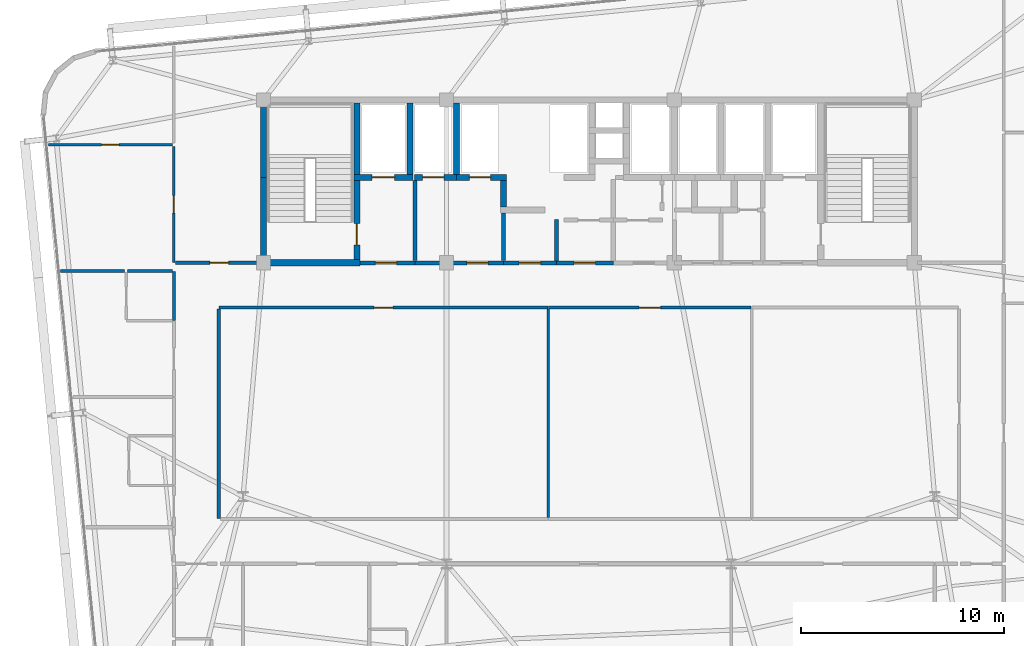
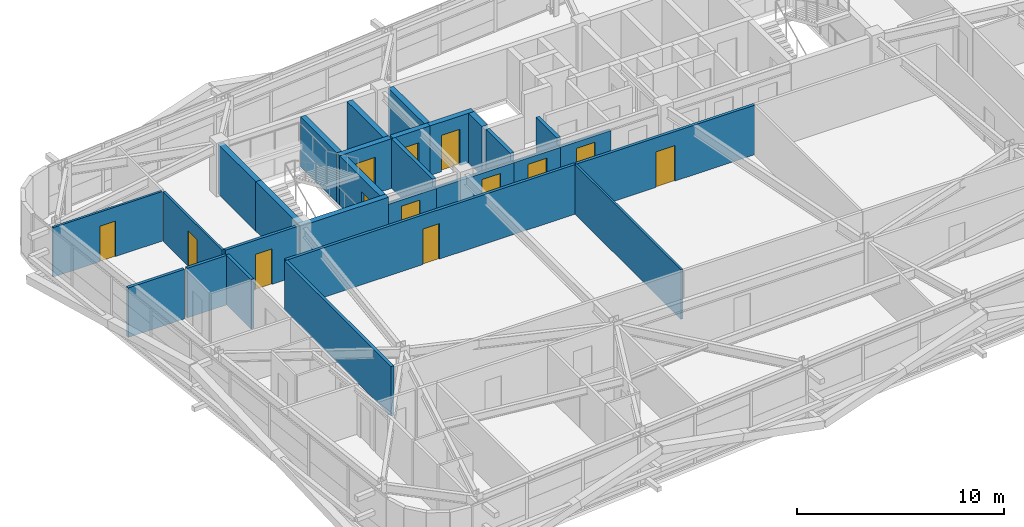
# One storey, part 47 of 53: 28 walls, 13 doors, 13 openings.
"""IFC4 building model written with IfcOpenShell, lengths in metres."""

from ifc_helpers import new_model, si_unit, direction, frame, frame_2d, origin, place, context, subcontext, project, spatial, rectangle, extrude, source, transform, mapped, material, layer, layer_set, type_object, element, fill, save


model = new_model("IFC4")

# Units and contexts
model_context = context("Model", 3, precision=1e-05, world=origin(), true_north=direction((0.0, 1.0)))
body_context = subcontext(model_context, "Body", "Model", "MODEL_VIEW")
ifc_project = project(units=[si_unit("LENGTHUNIT", "METRE"), si_unit("AREAUNIT", "SQUARE_METRE"), si_unit("VOLUMEUNIT", "CUBIC_METRE"), si_unit("PLANEANGLEUNIT", "RADIAN"), si_unit("MASSUNIT", "GRAM", prefix="KILO")], contexts=[model_context])

# Site, building, storey
site_placement = place(None, origin())
site = spatial("IfcSite", under=ifc_project, at=site_placement, CompositionType="ELEMENT")
building_placement = place(site_placement, origin())
building = spatial("IfcBuilding", under=site, at=building_placement, Name="Taldren Reach Tower", CompositionType="ELEMENT")
storey_placement = place(building_placement, frame((0.0, 0.0, 80.85009765625)))
storey = spatial("IfcBuildingStorey", under=building, at=storey_placement, Name="L24", CompositionType="ELEMENT", Elevation=80.85009765625)

# Wall, opening, door
ifc_material_1 = material(Name="Concrete S50 (50 MPa)", Category="concrete")
ifc_layer_1 = layer(ifc_material_1, 0.199951171875)
ifc_layer_set_1 = layer_set([ifc_layer_1], Name="Concrete S50 (50 MPa)")
wall_type_1 = type_object("IfcWallType", Name="IW-CORE-200", PredefinedType="SOLIDWALL", material=ifc_layer_set_1)
shared_shape_1 = source(origin(), body_context, "Body", "SweptSolid", [
    extrude(rectangle(XDim=4.35009765625, YDim=0.199951171875, at=frame_2d((2.175048828125, 0.0))), origin(), (0.0, 0.0, 1.0), 2.469970703125),
])
wall_1_placement = place(storey_placement, frame((30.800048828125, 24.0, 0.0), z_axis=(0.0, 0.0, 1.0), x_axis=(-1.0, 0.0, 0.0)))
wall_1 = element("IfcWall", 1, at=wall_1_placement, inside=storey, type_object=wall_type_1, Name="Rear Core Shear Wall W-INT-L24-034", PredefinedType="SOLIDWALL", context=body_context, shape_type="MappedRepresentation", body=[
    mapped(shared_shape_1, transform((0.0, 0.0, 0.0), scale=1.0)),
])
shared_shape_2 = source(origin(), body_context, "Body", "SweptSolid", [
    extrude(rectangle(XDim=1.050048828125, YDim=2.10009765625, at=frame_2d((0.52490234375, 1.050048828125))), frame((0.0, 0.10986328125, 0.0), z_axis=(0.0, -1.0, 0.0), x_axis=(1.0, 0.0, 0.0)), (0.0, 0.0, 1.0), 0.219970703125),
])
opening_1_placement = place(wall_1_placement, frame((0.75, 0.0, 0.0)))
opening_1 = element("IfcOpeningElement", 2, at=opening_1_placement, cuts=wall_1, Name="Opening DF-105", PredefinedType="OPENING", context=body_context, shape_type="MappedRepresentation", body=[
    mapped(shared_shape_2, transform((0.0, 0.0, 0.0), scale=1.0)),
])
ifc_material_2 = material(Name="Fire-Rated Care and Stair Exit Door")
door_type_1 = type_object("IfcDoorType", Name="ID-FIRE-105", OperationType="NOTDEFINED", PredefinedType="DOOR", material=ifc_material_2)
shared_shape_3 = source(origin(), body_context, "Body", "SweptSolid", [
    extrude(rectangle(XDim=1.050048828125, YDim=2.10009765625, at=frame_2d((0.52490234375, 1.050048828125))), frame((0.0, 0.02490234375, 0.0), z_axis=(0.0, -1.0, 0.0), x_axis=(1.0, 0.0, 0.0)), (0.0, 0.0, 1.0), 0.050048828125),
])
door_1_placement = place(opening_1_placement, frame((1.050048828125, 0.0, 0.0), z_axis=(0.0, 0.0, 1.0), x_axis=(-1.0, 0.0, 0.0)))
door_1 = element("IfcDoor", 3, at=door_1_placement, inside=storey, type_object=door_type_1, Name="Interior Door DR-L24-005", OperationType="SINGLE_SWING_RIGHT", OverallHeight=2.10009765625, OverallWidth=1.050048828125, PredefinedType="DOOR", context=body_context, shape_type="MappedRepresentation", body=[
    mapped(shared_shape_3, transform((0.0, 0.0, 0.0), scale=1.0)),
])
fill(opening_1, door_1)

# Walls
ifc_material_3 = material(Name="Fire-Rated Acoustic Plasterboard Stud Wall", Category="gypsum")
ifc_layer_2 = layer(ifc_material_3, 0.159912109375)
ifc_layer_set_2 = layer_set([ifc_layer_2], Name="Fire-Rated Acoustic Plasterboard Stud Wall")
wall_type_2 = type_object("IfcWallType", Name="IW-FIRE-160", PredefinedType="PARTITIONING", material=ifc_layer_set_2)
shared_shape_4 = source(origin(), body_context, "Body", "SweptSolid", [
    extrude(rectangle(XDim=10.2998046875, YDim=0.159912109375, at=frame_2d((5.14990234375, 0.0))), origin(), (0.0, 0.0, 1.0), 2.929931640625),
])
wall_2_placement = place(storey_placement, frame((16.800048828125, 21.719970703125, 0.0), z_axis=(0.0, 0.0, 1.0), x_axis=(0.0, -1.0, 0.0)))
element("IfcWall", 4, at=wall_2_placement, inside=storey, type_object=wall_type_2, Name="Interior Partition Wall W-INT-L24-061", PredefinedType="PARTITIONING", context=body_context, shape_type="MappedRepresentation", body=[
    mapped(shared_shape_4, transform((0.0, 0.0, 0.0), scale=1.0)),
])
shared_shape_5 = source(origin(), body_context, "Body", "SweptSolid", [
    extrude(rectangle(XDim=2.02001953125, YDim=0.199951171875, at=frame_2d((1.010009765625, 0.0))), origin(), (0.0, 0.0, 1.0), 2.929931640625),
])
wall_3_placement = place(storey_placement, frame((33.39990234375, 26.1201171875, 0.0), z_axis=(0.0, 0.0, 1.0), x_axis=(0.0, -1.0, 0.0)))
element("IfcWall", 5, at=wall_3_placement, inside=storey, type_object=wall_type_1, Name="Rear Core Shear Wall W-INT-L24-044", PredefinedType="SOLIDWALL", context=body_context, shape_type="MappedRepresentation", body=[
    mapped(shared_shape_5, transform((0.0, 0.0, 0.0), scale=1.0)),
])

# Wall, opening, door
shared_shape_6 = source(origin(), body_context, "Body", "SweptSolid", [
    extrude(rectangle(XDim=2.599853515625, YDim=0.199951171875, at=frame_2d((1.2998046875, 0.0))), origin(), (0.0, 0.0, 1.0), 2.469970703125),
])
wall_4_placement = place(storey_placement, frame((33.39990234375, 24.0, 0.0), z_axis=(0.0, 0.0, 1.0), x_axis=(-1.0, 0.0, 0.0)))
wall_4 = element("IfcWall", 6, at=wall_4_placement, inside=storey, type_object=wall_type_1, Name="Rear Core Shear Wall W-INT-L24-045", PredefinedType="SOLIDWALL", context=body_context, shape_type="MappedRepresentation", body=[
    mapped(shared_shape_6, transform((0.0, 0.0, 0.0), scale=1.0)),
])
opening_2_placement = place(wall_4_placement, frame((0.77490234375, 0.0, 0.0)))
opening_2 = element("IfcOpeningElement", 7, at=opening_2_placement, cuts=wall_4, Name="Opening DF-105", PredefinedType="OPENING", context=body_context, shape_type="MappedRepresentation", body=[
    mapped(shared_shape_2, transform((0.0, 0.0, 0.0), scale=1.0)),
])
door_2_placement = place(opening_2_placement, frame((1.050048828125, 0.0, 0.0), z_axis=(0.0, 0.0, 1.0), x_axis=(-1.0, 0.0, 0.0)))
door_2 = element("IfcDoor", 8, at=door_2_placement, inside=storey, type_object=door_type_1, Name="Interior Door DR-L24-006", OperationType="SINGLE_SWING_RIGHT", OverallHeight=2.10009765625, OverallWidth=1.050048828125, PredefinedType="DOOR", context=body_context, shape_type="MappedRepresentation", body=[
    mapped(shared_shape_3, transform((0.0, 0.0, 0.0), scale=1.0)),
])
fill(opening_2, door_2)

shared_shape_7 = source(origin(), body_context, "Body", "SweptSolid", [
    extrude(rectangle(XDim=2.800048828125, YDim=0.199951171875, at=frame_2d((1.39990234375, 0.0))), origin(), (0.0, 0.0, 1.0), 2.469970703125),
])
wall_5_placement = place(storey_placement, frame((36.199951171875, 24.0, 0.0), z_axis=(0.0, 0.0, 1.0), x_axis=(-1.0, 0.0, 0.0)))
wall_5 = element("IfcWall", 9, at=wall_5_placement, inside=storey, type_object=wall_type_1, Name="Rear Core Shear Wall W-INT-L24-048", PredefinedType="SOLIDWALL", context=body_context, shape_type="MappedRepresentation", body=[
    mapped(shared_shape_7, transform((0.0, 0.0, 0.0), scale=1.0)),
])
opening_3_placement = place(wall_5_placement, frame((0.875, 0.0, 0.0)))
opening_3 = element("IfcOpeningElement", 10, at=opening_3_placement, cuts=wall_5, Name="Opening DF-105", PredefinedType="OPENING", context=body_context, shape_type="MappedRepresentation", body=[
    mapped(shared_shape_2, transform((0.0, 0.0, 0.0), scale=1.0)),
])
door_3_placement = place(opening_3_placement, frame((1.050048828125, 0.0, 0.0), z_axis=(0.0, 0.0, 1.0), x_axis=(-1.0, 0.0, 0.0)))
door_3 = element("IfcDoor", 11, at=door_3_placement, inside=storey, type_object=door_type_1, Name="Interior Door DR-L24-008", OperationType="SINGLE_SWING_RIGHT", OverallHeight=2.10009765625, OverallWidth=1.050048828125, PredefinedType="DOOR", context=body_context, shape_type="MappedRepresentation", body=[
    mapped(shared_shape_3, transform((0.0, 0.0, 0.0), scale=1.0)),
])
fill(opening_3, door_3)

shared_shape_8 = source(origin(), body_context, "Body", "SweptSolid", [
    extrude(rectangle(XDim=9.95947265625, YDim=0.159912109375, at=frame_2d((4.979736328125, 0.0))), origin(), (0.0, 0.0, 1.0), 2.929931640625),
])
wall_6_placement = place(storey_placement, frame((42.979736328125, 21.800048828125, 0.0), z_axis=(0.0, 0.0, 1.0), x_axis=(-1.0, 0.0, 0.0)))
wall_6 = element("IfcWall", 12, at=wall_6_placement, inside=storey, type_object=wall_type_2, Name="Interior Partition Wall W-INT-L24-062", PredefinedType="PARTITIONING", context=body_context, shape_type="MappedRepresentation", body=[
    mapped(shared_shape_8, transform((0.0, 0.0, 0.0), scale=1.0)),
])
shared_shape_9 = source(origin(), body_context, "Body", "SweptSolid", [
    extrude(rectangle(XDim=1.050048828125, YDim=2.10009765625, at=frame_2d((0.52490234375, 1.050048828125))), frame((0.0, 0.08984375, 0.0), z_axis=(0.0, -1.0, 0.0), x_axis=(1.0, 0.0, 0.0)), (0.0, 0.0, 1.0), 0.179931640625),
])
opening_4_placement = place(wall_6_placement, frame((4.454833984375, 0.0, 0.0)))
opening_4 = element("IfcOpeningElement", 13, at=opening_4_placement, cuts=wall_6, Name="Opening DF-105", PredefinedType="OPENING", context=body_context, shape_type="MappedRepresentation", body=[
    mapped(shared_shape_9, transform((0.0, 0.0, 0.0), scale=1.0)),
])
door_4_placement = place(opening_4_placement, origin())
door_4 = element("IfcDoor", 14, at=door_4_placement, inside=storey, type_object=door_type_1, Name="Interior Door DR-L24-015", OperationType="SINGLE_SWING_RIGHT", OverallHeight=2.10009765625, OverallWidth=1.050048828125, PredefinedType="DOOR", context=body_context, shape_type="MappedRepresentation", body=[
    mapped(shared_shape_3, transform((0.0, 0.0, 0.0), scale=1.0)),
])
fill(opening_4, door_4)

# Wall
ifc_material_4 = material(Name="Insulated Residential Stud Partition", Category="gypsum")
ifc_layer_3 = layer(ifc_material_4, 0.1201171875)
ifc_layer_set_3 = layer_set([ifc_layer_3], Name="Insulated Residential Stud Partition")
wall_type_3 = type_object("IfcWallType", Name="IW-PART-120", PredefinedType="PARTITIONING", material=ifc_layer_set_3)
shared_shape_10 = source(origin(), body_context, "Body", "SweptSolid", [
    extrude(rectangle(XDim=10.239990234375, YDim=0.1201171875, at=frame_2d((5.1201171875, 0.0))), origin(), (0.0, 0.0, 1.0), 2.929931640625),
])
wall_7_placement = place(storey_placement, frame((33.0, 21.719970703125, 0.0), z_axis=(0.0, 0.0, 1.0), x_axis=(0.0, -1.0, 0.0)))
element("IfcWall", 15, at=wall_7_placement, inside=storey, type_object=wall_type_3, Name="Interior Partition Wall W-INT-L24-086", PredefinedType="PARTITIONING", context=body_context, shape_type="MappedRepresentation", body=[
    mapped(shared_shape_10, transform((0.0, 0.0, 0.0), scale=1.0)),
])

# Wall, opening, door
shared_shape_11 = source(origin(), body_context, "Body", "SweptSolid", [
    extrude(rectangle(XDim=16.159423828125, YDim=0.159912109375, at=frame_2d((8.07958984375, 0.0))), origin(), (0.0, 0.0, 1.0), 2.929931640625),
])
wall_8_placement = place(storey_placement, frame((32.979736328125, 21.800048828125, 0.0), z_axis=(0.0, 0.0, 1.0), x_axis=(-1.0, 0.0, 0.0)))
wall_8 = element("IfcWall", 16, at=wall_8_placement, inside=storey, type_object=wall_type_2, Name="Interior Partition Wall W-INT-L24-060", PredefinedType="PARTITIONING", context=body_context, shape_type="MappedRepresentation", body=[
    mapped(shared_shape_11, transform((0.0, 0.0, 0.0), scale=1.0)),
])
shared_shape_12 = source(origin(), body_context, "Body", "SweptSolid", [
    extrude(rectangle(XDim=0.919921875, YDim=2.10009765625, at=frame_2d((0.4599609375, 1.050048828125))), frame((0.0, 0.08984375, 0.0), z_axis=(0.0, -1.0, 0.0), x_axis=(1.0, 0.0, 0.0)), (0.0, 0.0, 1.0), 0.179931640625),
])
opening_5_placement = place(wall_8_placement, frame((7.619873046875, 0.0, 0.0)))
opening_5 = element("IfcOpeningElement", 17, at=opening_5_placement, cuts=wall_8, Name="Opening DI-092", PredefinedType="OPENING", context=body_context, shape_type="MappedRepresentation", body=[
    mapped(shared_shape_12, transform((0.0, 0.0, 0.0), scale=1.0)),
])
ifc_material_5 = material(Name="Solid-Core Timber Suite Door", Category="wood")
door_type_2 = type_object("IfcDoorType", Name="ID-INT-092", OperationType="NOTDEFINED", PredefinedType="DOOR", material=ifc_material_5)
shared_shape_13 = source(origin(), body_context, "Body", "SweptSolid", [
    extrude(rectangle(XDim=0.919921875, YDim=2.10009765625, at=frame_2d((0.4599609375, 1.050048828125))), frame((0.0, 0.02490234375, 0.0), z_axis=(0.0, -1.0, 0.0), x_axis=(1.0, 0.0, 0.0)), (0.0, 0.0, 1.0), 0.050048828125),
])
door_5_placement = place(opening_5_placement, origin())
door_5 = element("IfcDoor", 18, at=door_5_placement, inside=storey, type_object=door_type_2, Name="Interior Door DR-L24-014", OperationType="SINGLE_SWING_LEFT", OverallHeight=2.10009765625, OverallWidth=0.919921875, PredefinedType="DOOR", context=body_context, shape_type="MappedRepresentation", body=[
    mapped(shared_shape_13, transform((0.0, 0.0, 0.0), scale=1.0)),
])
fill(opening_5, door_5)

# Walls
ifc_material_6 = material(Name="Concrete S65 (65 MPa)", Category="concrete")
ifc_layer_4 = layer(ifc_material_6, 0.300048828125)
ifc_layer_set_4 = layer_set([ifc_layer_4], Name="Concrete S65 (65 MPa)")
wall_type_4 = type_object("IfcWallType", Name="IW-CORE-300", PredefinedType="SHEAR", material=ifc_layer_set_4)
shared_shape_14 = source(origin(), body_context, "Body", "SweptSolid", [
    extrude(rectangle(XDim=4.050048828125, YDim=0.300048828125, at=frame_2d((2.02490234375, 0.0))), origin(), (0.0, 0.0, 1.0), 2.929931640625),
])
wall_9_placement = place(storey_placement, frame((19.0, 24.14990234375, 0.0), z_axis=(0.0, 0.0, 1.0), x_axis=(0.0, 1.0, 0.0)))
element("IfcWall", 19, at=wall_9_placement, inside=storey, type_object=wall_type_4, Name="Rear Core Shear Wall W-CORE-L24-WEST1", PredefinedType="SHEAR", context=body_context, shape_type="MappedRepresentation", body=[
    mapped(shared_shape_14, transform((0.0, 0.0, 0.0), scale=1.0)),
])
shared_shape_15 = source(origin(), body_context, "Body", "SweptSolid", [
    extrude(rectangle(XDim=3.650146484375, YDim=0.300048828125, at=frame_2d((1.8251953125, 0.0))), origin(), (0.0, 0.0, 1.0), 2.929931640625),
])
wall_10_placement = place(storey_placement, frame((19.0, 28.199951171875, 0.0), z_axis=(0.0, 0.0, 1.0), x_axis=(0.0, 1.0, 0.0)))
element("IfcWall", 20, at=wall_10_placement, inside=storey, type_object=wall_type_4, Name="Rear Core Shear Wall W-CORE-L24-WEST2", PredefinedType="SHEAR", context=body_context, shape_type="MappedRepresentation", body=[
    mapped(shared_shape_15, transform((0.0, 0.0, 0.0), scale=1.0)),
])
shared_shape_16 = source(origin(), body_context, "Body", "SweptSolid", [
    extrude(rectangle(XDim=3.5, YDim=0.300048828125, at=frame_2d((1.75, 0.0))), origin(), (0.0, 0.0, 1.0), 2.929931640625),
])
for number, where, z_axis, x_axis, name in (
    (21, (23.60009765625, 28.35009765625, 0.0), (0.0, 0.0, 1.0), (0.0, 1.0, 0.0), "Rear Core Shear Wall W-INT-L24-001"),
    (22, (26.199951171875, 28.35009765625, 0.0), (0.0, 0.0, 1.0), (0.0, 1.0, 0.0), "Rear Core Shear Wall W-INT-L24-005"),
    (23, (28.5, 28.35009765625, 0.0), (0.0, 0.0, 1.0), (0.0, 1.0, 0.0), "Rear Core Shear Wall W-INT-L24-030"),
):
    element("IfcWall", number, at=place(storey_placement, frame(where, z_axis=z_axis, x_axis=x_axis)), inside=storey, type_object=wall_type_4, Name=name, PredefinedType="SHEAR", context=body_context, shape_type="MappedRepresentation", body=[
        mapped(shared_shape_16, transform((0.0, 0.0, 0.0), scale=1.0)),
    ])

# Wall, opening, door
shared_shape_17 = source(origin(), body_context, "Body", "SweptSolid", [
    extrude(rectangle(XDim=3.900146484375, YDim=0.300048828125, at=frame_2d((1.9501953125, 0.0))), origin(), (0.0, 0.0, 1.0), 2.929931640625),
])
wall_11_placement = place(storey_placement, frame((23.60009765625, 24.14990234375, 0.0), z_axis=(0.0, 0.0, 1.0), x_axis=(0.0, 1.0, 0.0)))
wall_11 = element("IfcWall", 24, at=wall_11_placement, inside=storey, type_object=wall_type_4, Name="Rear Core Shear Wall W-INT-L24-002", PredefinedType="SHEAR", context=body_context, shape_type="MappedRepresentation", body=[
    mapped(shared_shape_17, transform((0.0, 0.0, 0.0), scale=1.0)),
])
shared_shape_18 = source(origin(), body_context, "Body", "SweptSolid", [
    extrude(rectangle(XDim=1.050048828125, YDim=2.10009765625, at=frame_2d((0.52490234375, 1.050048828125))), frame((0.0, 0.16015625, 0.0), z_axis=(0.0, -1.0, 0.0), x_axis=(1.0, 0.0, 0.0)), (0.0, 0.0, 1.0), 0.320068359375),
])
opening_6_placement = place(wall_11_placement, frame((0.72509765625, 0.0, 0.0)))
opening_6 = element("IfcOpeningElement", 25, at=opening_6_placement, cuts=wall_11, Name="Opening DF-105", PredefinedType="OPENING", context=body_context, shape_type="MappedRepresentation", body=[
    mapped(shared_shape_18, transform((0.0, 0.0, 0.0), scale=1.0)),
])
door_6_placement = place(opening_6_placement, origin())
door_6 = element("IfcDoor", 26, at=door_6_placement, inside=storey, type_object=door_type_1, Name="Fire Exit Stair Door DR-L24-001", OperationType="SINGLE_SWING_LEFT", OverallHeight=2.10009765625, OverallWidth=1.050048828125, PredefinedType="DOOR", context=body_context, shape_type="MappedRepresentation", body=[
    mapped(shared_shape_3, transform((0.0, 0.0, 0.0), scale=1.0)),
])
fill(opening_6, door_6)

# Wall
shared_shape_19 = source(origin(), body_context, "Body", "SweptSolid", [
    extrude(rectangle(XDim=4.89990234375, YDim=0.300048828125, at=frame_2d((2.449951171875, 0.0))), origin(), (0.0, 0.0, 1.0), 2.929931640625),
])
wall_12_placement = place(storey_placement, frame((18.85009765625, 24.0, 0.0), z_axis=(0.0, 0.0, 1.0), x_axis=(1.0, 0.0, 0.0)))
element("IfcWall", 27, at=wall_12_placement, inside=storey, type_object=wall_type_4, Name="Rear Core Shear Wall W-INT-L24-003", PredefinedType="SHEAR", context=body_context, shape_type="MappedRepresentation", body=[
    mapped(shared_shape_19, transform((0.0, 0.0, 0.0), scale=1.0)),
])

# Wall, opening, door
shared_shape_20 = source(origin(), body_context, "Body", "SweptSolid", [
    extrude(rectangle(XDim=2.900146484375, YDim=0.300048828125, at=frame_2d((1.4501953125, 0.0))), origin(), (0.0, 0.0, 1.0), 2.929931640625),
])
wall_13_placement = place(storey_placement, frame((23.449951171875, 28.199951171875, 0.0), z_axis=(0.0, 0.0, 1.0), x_axis=(1.0, 0.0, 0.0)))
wall_13 = element("IfcWall", 28, at=wall_13_placement, inside=storey, type_object=wall_type_4, Name="Rear Core Shear Wall W-INT-L24-004", PredefinedType="SHEAR", context=body_context, shape_type="MappedRepresentation", body=[
    mapped(shared_shape_20, transform((0.0, 0.0, 0.0), scale=1.0)),
])
shared_shape_21 = source(origin(), body_context, "Body", "SweptSolid", [
    extrude(rectangle(XDim=1.10009765625, YDim=2.14990234375, at=frame_2d((0.550048828125, 1.074951171875))), frame((0.0, 0.16015625, 0.0), z_axis=(0.0, -1.0, 0.0), x_axis=(1.0, 0.0, 0.0)), (0.0, 0.0, 1.0), 0.320068359375),
])
opening_7_placement = place(wall_13_placement, frame((0.89990234375, 0.0, 0.0)))
opening_7 = element("IfcOpeningElement", 29, at=opening_7_placement, cuts=wall_13, Name="Opening LD-FL1", PredefinedType="OPENING", context=body_context, shape_type="MappedRepresentation", body=[
    mapped(shared_shape_21, transform((0.0, 0.0, 0.0), scale=1.0)),
])
ifc_material_7 = material(Name="Stainless Steel Gr 316 Emergency Lift Landing Door", Category="steel")
door_type_3 = type_object("IfcDoorType", Name="LD-EMG-110", OperationType="SLIDING_TO_LEFT", PredefinedType="DOOR", material=ifc_material_7)
shared_shape_22 = source(origin(), body_context, "Body", "SweptSolid", [
    extrude(rectangle(XDim=1.10009765625, YDim=2.14990234375, at=frame_2d((0.550048828125, 1.074951171875))), frame((0.0, 0.02490234375, 0.0), z_axis=(0.0, -1.0, 0.0), x_axis=(1.0, 0.0, 0.0)), (0.0, 0.0, 1.0), 0.050048828125),
])
door_7_placement = place(opening_7_placement, origin())
door_7 = element("IfcDoor", 30, at=door_7_placement, inside=storey, type_object=door_type_3, Name="Lift Landing Door LD-FL1-L24", OperationType="SLIDING_TO_LEFT", OverallHeight=2.14990234375, OverallWidth=1.10009765625, PredefinedType="DOOR", context=body_context, shape_type="MappedRepresentation", body=[
    mapped(shared_shape_22, transform((0.0, 0.0, 0.0), scale=1.0)),
])
fill(opening_7, door_7)

# Wall
shared_shape_23 = source(origin(), body_context, "Body", "SweptSolid", [
    extrude(rectangle(XDim=3.949951171875, YDim=0.199951171875, at=frame_2d((1.97509765625, 0.0))), origin(), (0.0, 0.0, 1.0), 2.929931640625),
])
wall_14_placement = place(storey_placement, frame((26.449951171875, 24.10009765625, 0.0), z_axis=(0.0, 0.0, 1.0), x_axis=(0.0, 1.0, 0.0)))
element("IfcWall", 31, at=wall_14_placement, inside=storey, type_object=wall_type_1, Name="Rear Core Shear Wall W-INT-L24-006", PredefinedType="SOLIDWALL", context=body_context, shape_type="MappedRepresentation", body=[
    mapped(shared_shape_23, transform((0.0, 0.0, 0.0), scale=1.0)),
])

# Wall, opening, door
shared_shape_24 = source(origin(), body_context, "Body", "SweptSolid", [
    extrude(rectangle(XDim=2.699951171875, YDim=0.199951171875, at=frame_2d((1.35009765625, 0.0))), origin(), (0.0, 0.0, 1.0), 2.469970703125),
])
wall_15_placement = place(storey_placement, frame((23.75, 24.0, 0.0), z_axis=(0.0, 0.0, 1.0), x_axis=(1.0, 0.0, 0.0)))
wall_15 = element("IfcWall", 32, at=wall_15_placement, inside=storey, type_object=wall_type_1, Name="Rear Core Shear Wall W-INT-L24-007", PredefinedType="SOLIDWALL", context=body_context, shape_type="MappedRepresentation", body=[
    mapped(shared_shape_24, transform((0.0, 0.0, 0.0), scale=1.0)),
])
opening_8_placement = place(wall_15_placement, frame((0.75, 0.0, 0.0)))
opening_8 = element("IfcOpeningElement", 33, at=opening_8_placement, cuts=wall_15, Name="Opening DF-105", PredefinedType="OPENING", context=body_context, shape_type="MappedRepresentation", body=[
    mapped(shared_shape_2, transform((0.0, 0.0, 0.0), scale=1.0)),
])
door_8_placement = place(opening_8_placement, origin())
door_8 = element("IfcDoor", 34, at=door_8_placement, inside=storey, type_object=door_type_1, Name="Interior Door DR-L24-002", OperationType="SINGLE_SWING_LEFT", OverallHeight=2.10009765625, OverallWidth=1.050048828125, PredefinedType="DOOR", context=body_context, shape_type="MappedRepresentation", body=[
    mapped(shared_shape_3, transform((0.0, 0.0, 0.0), scale=1.0)),
])
fill(opening_8, door_8)

# Wall
shared_shape_25 = source(origin(), body_context, "Body", "SweptSolid", [
    extrude(rectangle(XDim=1.300048828125, YDim=0.300048828125, at=frame_2d((0.64990234375, 0.0))), origin(), (0.0, 0.0, 1.0), 2.929931640625),
])
wall_16_placement = place(storey_placement, frame((30.800048828125, 28.050048828125, 0.0), z_axis=(0.0, 0.0, 1.0), x_axis=(0.0, -1.0, 0.0)))
element("IfcWall", 35, at=wall_16_placement, inside=storey, type_object=wall_type_4, Name="Rear Core Shear Wall W-INT-L24-022", PredefinedType="SHEAR", context=body_context, shape_type="MappedRepresentation", body=[
    mapped(shared_shape_25, transform((0.0, 0.0, 0.0), scale=1.0)),
])

# Wall, opening, door
shared_shape_26 = source(origin(), body_context, "Body", "SweptSolid", [
    extrude(rectangle(XDim=2.070068359375, YDim=0.300048828125, at=frame_2d((1.03515625, 0.0))), origin(), (0.0, 0.0, 1.0), 2.929931640625),
])
wall_17_placement = place(storey_placement, frame((26.429931640625, 28.199951171875, 0.0), z_axis=(0.0, 0.0, 1.0), x_axis=(1.0, 0.0, 0.0)))
wall_17 = element("IfcWall", 36, at=wall_17_placement, inside=storey, type_object=wall_type_4, Name="Rear Core Shear Wall W-INT-L24-031", PredefinedType="SHEAR", context=body_context, shape_type="MappedRepresentation", body=[
    mapped(shared_shape_26, transform((0.0, 0.0, 0.0), scale=1.0)),
])
shared_shape_27 = source(origin(), body_context, "Body", "SweptSolid", [
    extrude(rectangle(XDim=1.050048828125, YDim=2.14990234375, at=frame_2d((0.52490234375, 1.074951171875))), frame((0.0, 0.16015625, 0.0), z_axis=(0.0, -1.0, 0.0), x_axis=(1.0, 0.0, 0.0)), (0.0, 0.0, 1.0), 0.320068359375),
])
opening_9_placement = place(wall_17_placement, frame((0.39501953125, 0.0, 0.0)))
opening_9 = element("IfcOpeningElement", 37, at=opening_9_placement, cuts=wall_17, Name="Opening LD-PL1", PredefinedType="OPENING", context=body_context, shape_type="MappedRepresentation", body=[
    mapped(shared_shape_27, transform((0.0, 0.0, 0.0), scale=1.0)),
])
ifc_material_8 = material(Name="Stainless Steel Gr 316 Passenger Lift Landing Door", Category="steel")
door_type_4 = type_object("IfcDoorType", Name="LD-PAS-105", OperationType="SLIDING_TO_LEFT", PredefinedType="DOOR", material=ifc_material_8)
shared_shape_28 = source(origin(), body_context, "Body", "SweptSolid", [
    extrude(rectangle(XDim=1.050048828125, YDim=2.14990234375, at=frame_2d((0.52490234375, 1.074951171875))), frame((0.0, 0.02490234375, 0.0), z_axis=(0.0, -1.0, 0.0), x_axis=(1.0, 0.0, 0.0)), (0.0, 0.0, 1.0), 0.050048828125),
])
door_9_placement = place(opening_9_placement, origin())
door_9 = element("IfcDoor", 38, at=door_9_placement, inside=storey, type_object=door_type_4, Name="Lift Landing Door LD-PL1-L24", OperationType="SLIDING_TO_LEFT", OverallHeight=2.14990234375, OverallWidth=1.050048828125, PredefinedType="DOOR", context=body_context, shape_type="MappedRepresentation", body=[
    mapped(shared_shape_28, transform((0.0, 0.0, 0.0), scale=1.0)),
])
fill(opening_9, door_9)

shared_shape_29 = source(origin(), body_context, "Body", "SweptSolid", [
    extrude(rectangle(XDim=2.449951171875, YDim=0.300048828125, at=frame_2d((1.22509765625, 0.0))), origin(), (0.0, 0.0, 1.0), 2.929931640625),
])
wall_18_placement = place(storey_placement, frame((28.5, 28.199951171875, 0.0), z_axis=(0.0, 0.0, 1.0), x_axis=(1.0, 0.0, 0.0)))
wall_18 = element("IfcWall", 39, at=wall_18_placement, inside=storey, type_object=wall_type_4, Name="Rear Core Shear Wall W-INT-L24-032", PredefinedType="SHEAR", context=body_context, shape_type="MappedRepresentation", body=[
    mapped(shared_shape_29, transform((0.0, 0.0, 0.0), scale=1.0)),
])
opening_10_placement = place(wall_18_placement, frame((0.625, 0.0, 0.0)))
opening_10 = element("IfcOpeningElement", 40, at=opening_10_placement, cuts=wall_18, Name="Opening LD-PL2", PredefinedType="OPENING", context=body_context, shape_type="MappedRepresentation", body=[
    mapped(shared_shape_27, transform((0.0, 0.0, 0.0), scale=1.0)),
])
door_10_placement = place(opening_10_placement, origin())
door_10 = element("IfcDoor", 41, at=door_10_placement, inside=storey, type_object=door_type_4, Name="Lift Landing Door LD-PL2-L24", OperationType="SLIDING_TO_LEFT", OverallHeight=2.14990234375, OverallWidth=1.050048828125, PredefinedType="DOOR", context=body_context, shape_type="MappedRepresentation", body=[
    mapped(shared_shape_28, transform((0.0, 0.0, 0.0), scale=1.0)),
])
fill(opening_10, door_10)

# Walls
shared_shape_30 = source(origin(), body_context, "Body", "SweptSolid", [
    extrude(rectangle(XDim=2.349853515625, YDim=0.199951171875, at=frame_2d((1.1748046875, 0.0))), origin(), (0.0, 0.0, 1.0), 2.929931640625),
])
wall_19_placement = place(storey_placement, frame((30.800048828125, 26.449951171875, 0.0), z_axis=(0.0, 0.0, 1.0), x_axis=(0.0, -1.0, 0.0)))
element("IfcWall", 42, at=wall_19_placement, inside=storey, type_object=wall_type_1, Name="Rear Core Shear Wall W-INT-L24-033", PredefinedType="SOLIDWALL", context=body_context, shape_type="MappedRepresentation", body=[
    mapped(shared_shape_30, transform((0.0, 0.0, 0.0), scale=1.0)),
])
shared_shape_31 = source(origin(), body_context, "Body", "SweptSolid", [
    extrude(rectangle(XDim=2.409423828125, YDim=0.159912109375, at=frame_2d((1.20458984375, 0.0))), origin(), (0.0, 0.0, 1.0), 2.929931640625),
])
wall_20_placement = place(storey_placement, frame((14.60009765625, 21.170166015625, 0.0), z_axis=(0.0, 0.0, 1.0), x_axis=(0.0, 1.0, 0.0)))
element("IfcWall", 43, at=wall_20_placement, inside=storey, type_object=wall_type_2, Name="Interior Partition Wall W-INT-L24-072", PredefinedType="PARTITIONING", context=body_context, shape_type="MappedRepresentation", body=[
    mapped(shared_shape_31, transform((0.0, 0.0, 0.0), scale=1.0)),
])

# Wall, opening, door
shared_shape_32 = source(origin(), body_context, "Body", "SweptSolid", [
    extrude(rectangle(XDim=4.170166015625, YDim=0.159912109375, at=frame_2d((2.0849609375, 0.0))), origin(), (0.0, 0.0, 1.0), 2.929931640625),
])
wall_21_placement = place(storey_placement, frame((14.679931640625, 24.0, 0.0), z_axis=(0.0, 0.0, 1.0), x_axis=(1.0, 0.0, 0.0)))
wall_21 = element("IfcWall", 44, at=wall_21_placement, inside=storey, type_object=wall_type_2, Name="Interior Partition Wall W-INT-L24-075", PredefinedType="PARTITIONING", context=body_context, shape_type="MappedRepresentation", body=[
    mapped(shared_shape_32, transform((0.0, 0.0, 0.0), scale=1.0)),
])
opening_11_placement = place(wall_21_placement, frame((1.68994140625, 0.0, 0.0)))
opening_11 = element("IfcOpeningElement", 45, at=opening_11_placement, cuts=wall_21, Name="Opening DI-092", PredefinedType="OPENING", context=body_context, shape_type="MappedRepresentation", body=[
    mapped(shared_shape_12, transform((0.0, 0.0, 0.0), scale=1.0)),
])
door_11_placement = place(opening_11_placement, origin())
door_11 = element("IfcDoor", 46, at=door_11_placement, inside=storey, type_object=door_type_2, Name="Interior Door DR-L24-024", OperationType="SINGLE_SWING_LEFT", OverallHeight=2.10009765625, OverallWidth=0.919921875, PredefinedType="DOOR", context=body_context, shape_type="MappedRepresentation", body=[
    mapped(shared_shape_13, transform((0.0, 0.0, 0.0), scale=1.0)),
])
fill(opening_11, door_11)

# Walls
shared_shape_33 = source(origin(), body_context, "Body", "SweptSolid", [
    extrude(rectangle(XDim=2.18798828125, YDim=0.159912109375, at=frame_2d((1.093994140625, 0.0))), origin(), (0.0, 0.0, 1.0), 2.929931640625),
])
wall_22_placement = place(storey_placement, frame((12.330078125, 23.60009765625, 0.0), z_axis=(0.0, 0.0, 1.0), x_axis=(1.0, 0.0, 0.0)))
element("IfcWall", 47, at=wall_22_placement, inside=storey, type_object=wall_type_2, Name="Interior Partition Wall W-INT-L24-116", PredefinedType="PARTITIONING", context=body_context, shape_type="MappedRepresentation", body=[
    mapped(shared_shape_33, transform((0.0, 0.0, 0.0), scale=1.0)),
])
shared_shape_34 = source(origin(), body_context, "Body", "SweptSolid", [
    extrude(rectangle(XDim=3.135009765625, YDim=0.159912109375, at=frame_2d((1.5673828125, 0.0))), origin(), (0.0, 0.0, 1.0), 2.929931640625),
])
wall_23_placement = place(storey_placement, frame((9.034912109375, 23.60009765625, 0.0), z_axis=(0.0, 0.0, 1.0), x_axis=(1.0, 0.0, 0.0)))
element("IfcWall", 48, at=wall_23_placement, inside=storey, type_object=wall_type_2, Name="Interior Partition Wall W-INT-L24-115", PredefinedType="PARTITIONING", context=body_context, shape_type="MappedRepresentation", body=[
    mapped(shared_shape_34, transform((0.0, 0.0, 0.0), scale=1.0)),
])

# Wall, opening, door
shared_shape_35 = source(origin(), body_context, "Body", "SweptSolid", [
    extrude(rectangle(XDim=6.094970703125, YDim=0.1201171875, at=frame_2d((3.04736328125, 0.0))), origin(), (0.0, 0.0, 1.0), 2.929931640625),
])
wall_24_placement = place(storey_placement, frame((8.425048828125, 29.800048828125, 0.0), z_axis=(0.0, 0.0, 1.0), x_axis=(1.0, 0.0, 0.0)))
wall_24 = element("IfcWall", 49, at=wall_24_placement, inside=storey, type_object=wall_type_3, Name="Interior Partition Wall W-INT-L24-117", PredefinedType="PARTITIONING", context=body_context, shape_type="MappedRepresentation", body=[
    mapped(shared_shape_35, transform((0.0, 0.0, 0.0), scale=1.0)),
])
shared_shape_36 = source(origin(), body_context, "Body", "SweptSolid", [
    extrude(rectangle(XDim=0.860107421875, YDim=2.10009765625, at=frame_2d((0.43017578125, 1.050048828125))), frame((0.0, 0.070068359375, 0.0), z_axis=(0.0, -1.0, 0.0), x_axis=(1.0, 0.0, 0.0)), (0.0, 0.0, 1.0), 0.14013671875),
])
opening_12_placement = place(wall_24_placement, frame((2.617431640625, 0.0, 0.0)))
opening_12 = element("IfcOpeningElement", 50, at=opening_12_placement, cuts=wall_24, Name="Opening DI-086", PredefinedType="OPENING", context=body_context, shape_type="MappedRepresentation", body=[
    mapped(shared_shape_36, transform((0.0, 0.0, 0.0), scale=1.0)),
])
ifc_material_9 = material(Name="Timber Bathroom Door", Category="wood")
door_type_5 = type_object("IfcDoorType", Name="ID-INT-086", OperationType="NOTDEFINED", PredefinedType="DOOR", material=ifc_material_9)
shared_shape_37 = source(origin(), body_context, "Body", "SweptSolid", [
    extrude(rectangle(XDim=0.860107421875, YDim=2.10009765625, at=frame_2d((0.43017578125, 1.050048828125))), frame((0.0, 0.02490234375, 0.0), z_axis=(0.0, -1.0, 0.0), x_axis=(1.0, 0.0, 0.0)), (0.0, 0.0, 1.0), 0.050048828125),
])
door_12_placement = place(opening_12_placement, origin())
door_12 = element("IfcDoor", 51, at=door_12_placement, inside=storey, type_object=door_type_5, Name="Interior Door DR-L24-036", OperationType="SINGLE_SWING_LEFT", OverallHeight=2.10009765625, OverallWidth=0.860107421875, PredefinedType="DOOR", context=body_context, shape_type="MappedRepresentation", body=[
    mapped(shared_shape_37, transform((0.0, 0.0, 0.0), scale=1.0)),
])
fill(opening_12, door_12)

shared_shape_38 = source(origin(), body_context, "Body", "SweptSolid", [
    extrude(rectangle(XDim=5.69970703125, YDim=0.1201171875, at=frame_2d((2.849853515625, 0.0))), origin(), (0.0, 0.0, 1.0), 2.929931640625),
])
wall_25_placement = place(storey_placement, frame((14.60009765625, 29.719970703125, 0.0), z_axis=(0.0, 0.0, 1.0), x_axis=(0.0, -1.0, 0.0)))
wall_25 = element("IfcWall", 52, at=wall_25_placement, inside=storey, type_object=wall_type_3, Name="Interior Partition Wall W-INT-L24-118", PredefinedType="PARTITIONING", context=body_context, shape_type="MappedRepresentation", body=[
    mapped(shared_shape_38, transform((0.0, 0.0, 0.0), scale=1.0)),
])
opening_13_placement = place(wall_25_placement, frame((2.419921875, 0.0, 0.0)))
opening_13 = element("IfcOpeningElement", 53, at=opening_13_placement, cuts=wall_25, Name="Opening DI-086", PredefinedType="OPENING", context=body_context, shape_type="MappedRepresentation", body=[
    mapped(shared_shape_36, transform((0.0, 0.0, 0.0), scale=1.0)),
])
door_13_placement = place(opening_13_placement, frame((0.860107421875, 0.0, 0.0), z_axis=(0.0, 0.0, 1.0), x_axis=(-1.0, 0.0, 0.0)))
door_13 = element("IfcDoor", 54, at=door_13_placement, inside=storey, type_object=door_type_5, Name="Interior Door DR-L24-035", OperationType="SINGLE_SWING_LEFT", OverallHeight=2.10009765625, OverallWidth=0.860107421875, PredefinedType="DOOR", context=body_context, shape_type="MappedRepresentation", body=[
    mapped(shared_shape_37, transform((0.0, 0.0, 0.0), scale=1.0)),
])
fill(opening_13, door_13)

save(model, "model.ifc")
